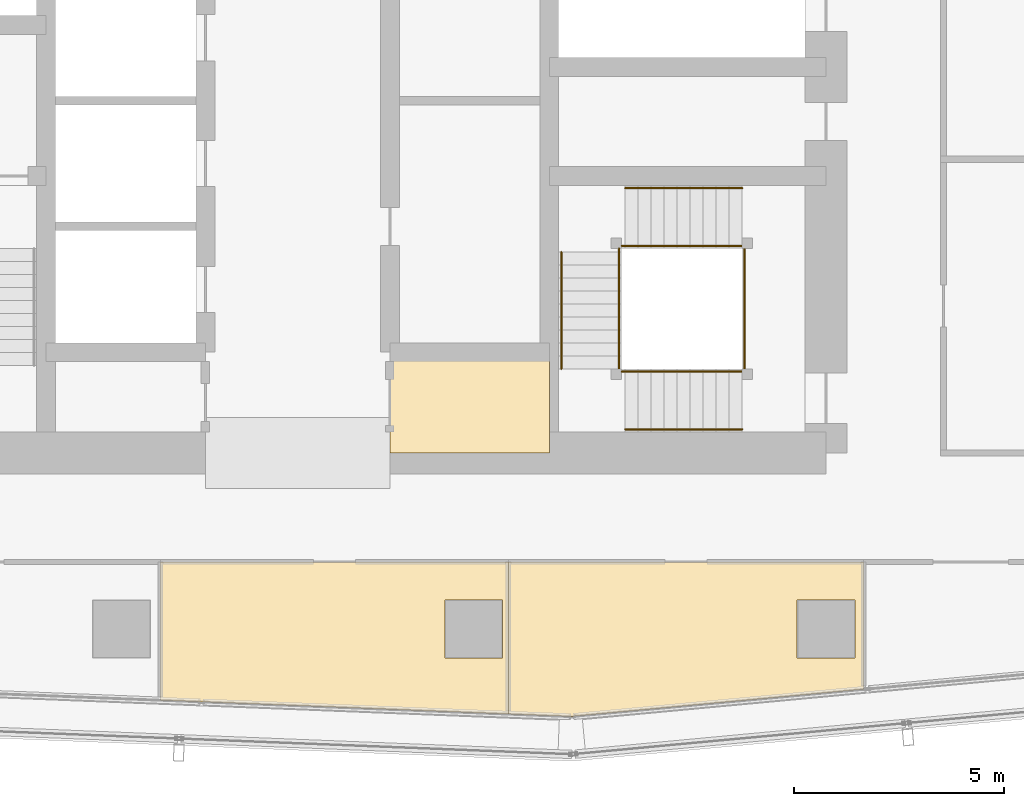
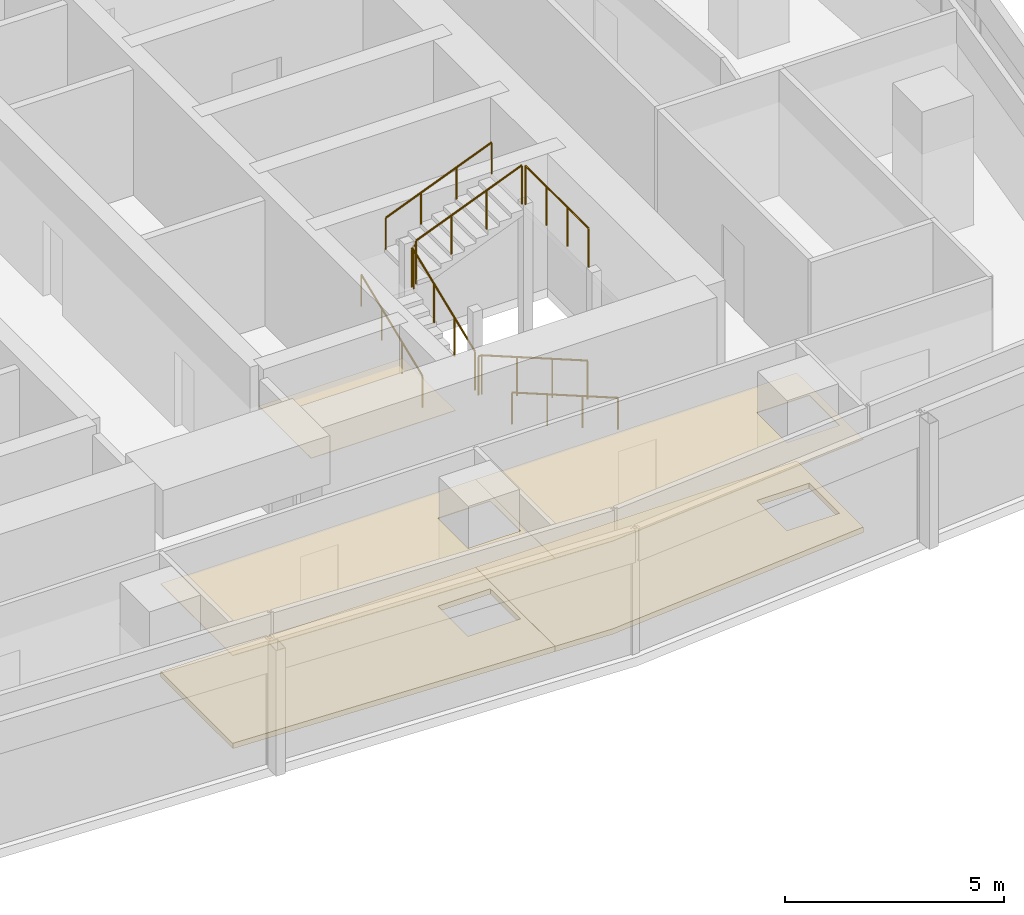
# One storey, part 35 of 40: 10 railings, 5 coverings.
"""IFC4 building model written with IfcOpenShell, lengths in metres."""

from ifc_helpers import new_model, si_unit, direction, frame, origin, origin_2d, place, context, subcontext, project, spatial, polyline, circle, outline, extrude, material, layer, layer_set, type_object, element, save


model = new_model("IFC4")

# Units and contexts
model_context = context("Model", 3, precision=1e-05, world=origin(), true_north=direction((0.0, 1.0)))
body_context = subcontext(model_context, "Body", "Model", "MODEL_VIEW")
ifc_project = project(units=[si_unit("LENGTHUNIT", "METRE"), si_unit("AREAUNIT", "SQUARE_METRE"), si_unit("VOLUMEUNIT", "CUBIC_METRE"), si_unit("PLANEANGLEUNIT", "RADIAN"), si_unit("MASSUNIT", "GRAM", prefix="KILO")], contexts=[model_context])

# Site, building, storey
site_placement = place(None, origin())
site = spatial("IfcSite", under=ifc_project, at=site_placement, CompositionType="ELEMENT")
building_placement = place(site_placement, origin())
building = spatial("IfcBuilding", under=site, at=building_placement, Name="Rekha Terrace Tower", CompositionType="ELEMENT")
storey_placement = place(building_placement, frame((0.0, 0.0, 210.199951171875)))
storey = spatial("IfcBuildingStorey", under=building, at=storey_placement, Name="L53", CompositionType="ELEMENT", Elevation=210.199951171875)

# Coverings
ifc_material_1 = material(Name="Mineral fibre tile in exposed grid", Category="finish")
ifc_layer_1 = layer(ifc_material_1, 0.02001953125)
ifc_layer_set_1 = layer_set([ifc_layer_1], Name="Mineral fibre tile in exposed grid")
covering_type_1 = type_object("IfcCoveringType", Name="CL1 600x1200 office grid ceiling", PredefinedType="CEILING", material=ifc_layer_set_1)
covering_1_placement = place(storey_placement, frame((0.0, 0.0, 2.580078125)))
element("IfcCovering", 1, at=covering_1_placement, inside=storey, type_object=covering_type_1, Name="Ceiling L53-02", PredefinedType="CEILING", context=body_context, shape_type="SweptSolid", body=[
    extrude(outline(polyline([(34.531005859375, 18.39990234375), (34.531005859375, 15.10205078125), (42.822998046875, 14.77099609375), (42.822998046875, 18.39990234375), (34.531005859375, 18.39990234375)]), holes=[polyline([(42.68994140625, 17.489990234375), (42.68994140625, 16.110107421875), (41.31005859375, 16.110107421875), (41.31005859375, 17.489990234375), (42.68994140625, 17.489990234375)])]), origin(), (0.0, 0.0, 1.0), 0.02001953125),
])
covering_2_placement = place(storey_placement, frame((0.0, 0.0, 2.580078125)))
element("IfcCovering", 2, at=covering_2_placement, inside=storey, type_object=covering_type_1, Name="Ceiling L53-03", PredefinedType="CEILING", context=body_context, shape_type="SweptSolid", body=[
    extrude(outline(polyline([(42.823974609375, 14.77099609375), (44.31201171875, 14.7119140625), (51.2900390625, 15.362060546875), (51.2900390625, 18.39990234375), (42.823974609375, 18.39990234375), (42.823974609375, 14.77099609375)]), holes=[polyline([(51.090087890625, 16.110107421875), (49.7099609375, 16.110107421875), (49.7099609375, 17.489990234375), (51.090087890625, 17.489990234375), (51.090087890625, 16.110107421875)])]), origin(), (0.0, 0.0, 1.0), 0.02001953125),
])
ifc_material_2 = material(Name="Fibre cement board", Category="finish")
ifc_layer_2 = layer(ifc_material_2, 0.014892578125)
ifc_layer_set_2 = layer_set([ifc_layer_2], Name="Fibre cement board")
covering_type_2 = type_object("IfcCoveringType", Name="CL2 moisture-resistant board ceiling", PredefinedType="CEILING", material=ifc_layer_set_2)
covering_3_placement = place(storey_placement, frame((0.0, 0.0, 2.5849609375)))
element("IfcCovering", 3, at=covering_3_placement, inside=storey, type_object=covering_type_2, Name="Ceiling L53-WCA", PredefinedType="CEILING", context=body_context, shape_type="SweptSolid", body=[
    extrude(outline(polyline([(43.800048828125, 23.39990234375), (40.0, 23.39990234375), (40.0, 21.0), (43.800048828125, 21.0), (43.800048828125, 23.39990234375)])), origin(), (0.0, 0.0, 1.0), 0.01513671875),
])

# Railings
ifc_material_3 = material(Name="Stainless steel balustrade", Category="steel")
railing_type_1 = type_object("IfcRailingType", Name="GR1 1100 stair guard", PredefinedType="GUARDRAIL", material=ifc_material_3)
railing_1_placement = place(storey_placement, frame((48.39990234375, 22.93994140625, 0.125)))
element("IfcRailing", 4, at=railing_1_placement, inside=storey, type_object=railing_type_1, Name="Guard ST3 L53 flight 1", PredefinedType="GUARDRAIL", context=body_context, shape_type="SweptSolid", body=[
    extrude(circle(Radius=0.02392578125, at=origin_2d()), frame((0.0, 0.0, 1.076171875), z_axis=(-0.927431937212, 0.0, 0.373991980981), x_axis=(0.0, -1.0, 0.0)), (0.0, 0.0, 1.0), 3.008056640625),
    extrude(circle(Radius=0.02099609375, at=origin_2d()), origin(), (0.0, 0.0, 1.0), 1.052001953125),
    extrude(circle(Radius=0.02099609375, at=origin_2d()), frame((-0.929931640625, 0.0, 0.375)), (0.0, 0.0, 1.0), 1.052001953125),
    extrude(circle(Radius=0.02099609375, at=origin_2d()), frame((-1.85986328125, 0.0, 0.75)), (0.0, 0.0, 1.0), 1.052001953125),
    extrude(circle(Radius=0.02099609375, at=origin_2d()), frame((-2.789794921875, 0.0, 1.125)), (0.0, 0.0, 1.0), 1.052001953125),
])
railing_2_placement = place(storey_placement, frame((45.465087890625, 23.0, 1.375)))
element("IfcRailing", 5, at=railing_2_placement, inside=storey, type_object=railing_type_1, Name="Guard ST3 L53 flight 2", PredefinedType="GUARDRAIL", context=body_context, shape_type="SweptSolid", body=[
    extrude(circle(Radius=0.02392578125, at=origin_2d()), frame((0.0, 0.0, 1.076171875), z_axis=(0.0, 0.927443287984, 0.373963831907), x_axis=(-1.0, 0.0, 0.0)), (0.0, 0.0, 1.0), 3.00830078125),
    extrude(circle(Radius=0.02099609375, at=origin_2d()), origin(), (0.0, 0.0, 1.0), 1.052001953125),
    extrude(circle(Radius=0.02099609375, at=origin_2d()), frame((0.0, 0.929931640625, 0.375)), (0.0, 0.0, 1.0), 1.052001953125),
    extrude(circle(Radius=0.02099609375, at=origin_2d()), frame((0.0, 1.860107421875, 0.75)), (0.0, 0.0, 1.0), 1.052001953125),
    extrude(circle(Radius=0.02099609375, at=origin_2d()), frame((0.0, 2.7900390625, 1.125)), (0.0, 0.0, 1.0), 1.052001953125),
])
railing_3_placement = place(storey_placement, frame((45.610107421875, 25.93505859375, 2.625)))
element("IfcRailing", 6, at=railing_3_placement, inside=storey, type_object=railing_type_1, Name="Guard ST3 L53 flight 3", PredefinedType="GUARDRAIL", context=body_context, shape_type="SweptSolid", body=[
    extrude(circle(Radius=0.02392578125, at=origin_2d()), frame((0.0, 0.0, 1.076171875), z_axis=(0.927431937212, 0.0, 0.373991980981), x_axis=(0.0, 1.0, 0.0)), (0.0, 0.0, 1.0), 3.008056640625),
    extrude(circle(Radius=0.02099609375, at=origin_2d()), origin(), (0.0, 0.0, 1.0), 1.052001953125),
    extrude(circle(Radius=0.02099609375, at=origin_2d()), frame((0.929931640625, 0.0, 0.375)), (0.0, 0.0, 1.0), 1.052001953125),
    extrude(circle(Radius=0.02099609375, at=origin_2d()), frame((1.85986328125, 0.0, 0.75)), (0.0, 0.0, 1.0), 1.052001953125),
    extrude(circle(Radius=0.02099609375, at=origin_2d()), frame((2.789794921875, 0.0, 1.125)), (0.0, 0.0, 1.0), 1.052001953125),
])
railing_4_placement = place(storey_placement, frame((45.610107421875, 22.93994140625, 1.25)))
element("IfcRailing", 7, at=railing_4_placement, inside=storey, type_object=railing_type_1, Name="Guard ST3 L53 landing 1", PredefinedType="GUARDRAIL", context=body_context, shape_type="SweptSolid", body=[
    extrude(circle(Radius=0.02392578125, at=origin_2d()), frame((0.0, 0.0, 1.076171875), z_axis=(-1.0, 0.0, 0.0), x_axis=(0.0, -1.0, 0.0)), (0.0, 0.0, 1.0), 0.085205078125),
    extrude(circle(Radius=0.02099609375, at=origin_2d()), origin(), (0.0, 0.0, 1.0), 1.052001953125),
    extrude(circle(Radius=0.02099609375, at=origin_2d()), frame((-0.085205078125, 0.0, 0.0)), (0.0, 0.0, 1.0), 1.052001953125),
])
railing_5_placement = place(storey_placement, frame((45.465087890625, 25.7900390625, 2.5)))
element("IfcRailing", 8, at=railing_5_placement, inside=storey, type_object=railing_type_1, Name="Guard ST3 L53 landing 2", PredefinedType="GUARDRAIL", context=body_context, shape_type="SweptSolid", body=[
    extrude(circle(Radius=0.02392578125, at=origin_2d()), frame((0.0, 0.0, 1.076171875), z_axis=(0.0, 1.0, 0.0), x_axis=(-1.0, 0.0, 0.0)), (0.0, 0.0, 1.0), 0.0849609375),
    extrude(circle(Radius=0.02099609375, at=origin_2d()), origin(), (0.0, 0.0, 1.0), 1.052001953125),
    extrude(circle(Radius=0.02099609375, at=origin_2d()), frame((0.0, 0.0849609375, 0.0)), (0.0, 0.0, 1.0), 1.052001953125),
])
railing_6_placement = place(storey_placement, frame((45.610107421875, 25.93505859375, 2.5)))
element("IfcRailing", 9, at=railing_6_placement, inside=storey, type_object=railing_type_1, Name="Guard ST3 L53 landing 3", PredefinedType="GUARDRAIL", context=body_context, shape_type="SweptSolid", body=[
    extrude(circle(Radius=0.02392578125, at=origin_2d()), frame((0.0, 0.0, 1.076171875), z_axis=(-1.0, 0.0, 0.0), x_axis=(0.0, -1.0, 0.0)), (0.0, 0.0, 1.0), 0.085205078125),
    extrude(circle(Radius=0.02099609375, at=origin_2d()), origin(), (0.0, 0.0, 1.0), 1.052001953125),
    extrude(circle(Radius=0.02099609375, at=origin_2d()), frame((-0.085205078125, 0.0, 0.0)), (0.0, 0.0, 1.0), 1.052001953125),
])
railing_7_placement = place(storey_placement, frame((48.4599609375, 23.0, 3.75)))
element("IfcRailing", 10, at=railing_7_placement, inside=storey, type_object=railing_type_1, Name="Guard ST3 L53 landing 4", PredefinedType="GUARDRAIL", context=body_context, shape_type="SweptSolid", body=[
    extrude(circle(Radius=0.02392578125, at=origin_2d()), frame((0.0, 0.0, 1.076171875), z_axis=(0.0, 1.0, 0.0), x_axis=(-1.0, 0.0, 0.0)), (0.0, 0.0, 1.0), 2.875),
    extrude(circle(Radius=0.02099609375, at=origin_2d()), origin(), (0.0, 0.0, 1.0), 1.052001953125),
    extrude(circle(Radius=0.02099609375, at=origin_2d()), frame((0.0, 0.958251953125, 0.0)), (0.0, 0.0, 1.0), 1.052001953125),
    extrude(circle(Radius=0.02099609375, at=origin_2d()), frame((0.0, 1.916748046875, 0.0)), (0.0, 0.0, 1.0), 1.052001953125),
    extrude(circle(Radius=0.02099609375, at=origin_2d()), frame((0.0, 2.875, 0.0)), (0.0, 0.0, 1.0), 1.052001953125),
])
ifc_material_4 = material(Name="Stainless steel tube", Category="steel")
railing_type_2 = type_object("IfcRailingType", Name="HR1 900 stair handrail", PredefinedType="HANDRAIL", material=ifc_material_4)
railing_8_placement = place(storey_placement, frame((48.39990234375, 21.56005859375, 0.125)))
element("IfcRailing", 11, at=railing_8_placement, inside=storey, type_object=railing_type_2, Name="Handrail ST3 L53 flight 1", PredefinedType="HANDRAIL", context=body_context, shape_type="SweptSolid", body=[
    extrude(circle(Radius=0.02392578125, at=origin_2d()), frame((0.0, 0.0, 0.8759765625), z_axis=(-0.927431937212, 0.0, 0.373991980981), x_axis=(0.0, -1.0, 0.0)), (0.0, 0.0, 1.0), 3.008056640625),
    extrude(circle(Radius=0.02099609375, at=origin_2d()), origin(), (0.0, 0.0, 1.0), 0.851806640625),
    extrude(circle(Radius=0.02099609375, at=origin_2d()), frame((-0.929931640625, 0.0, 0.375)), (0.0, 0.0, 1.0), 0.851806640625),
    extrude(circle(Radius=0.02099609375, at=origin_2d()), frame((-1.85986328125, 0.0, 0.75)), (0.0, 0.0, 1.0), 0.851806640625),
    extrude(circle(Radius=0.02099609375, at=origin_2d()), frame((-2.789794921875, 0.0, 1.125)), (0.0, 0.0, 1.0), 0.851806640625),
])
railing_9_placement = place(storey_placement, frame((44.0849609375, 23.0, 1.375)))
element("IfcRailing", 12, at=railing_9_placement, inside=storey, type_object=railing_type_2, Name="Handrail ST3 L53 flight 2", PredefinedType="HANDRAIL", context=body_context, shape_type="SweptSolid", body=[
    extrude(circle(Radius=0.02392578125, at=origin_2d()), frame((0.0, 0.0, 0.8759765625), z_axis=(0.0, 0.927443287984, 0.373963831907), x_axis=(-1.0, 0.0, 0.0)), (0.0, 0.0, 1.0), 3.00830078125),
    extrude(circle(Radius=0.02099609375, at=origin_2d()), origin(), (0.0, 0.0, 1.0), 0.851806640625),
    extrude(circle(Radius=0.02099609375, at=origin_2d()), frame((0.0, 0.929931640625, 0.375)), (0.0, 0.0, 1.0), 0.851806640625),
    extrude(circle(Radius=0.02099609375, at=origin_2d()), frame((0.0, 1.860107421875, 0.75)), (0.0, 0.0, 1.0), 0.851806640625),
    extrude(circle(Radius=0.02099609375, at=origin_2d()), frame((0.0, 2.7900390625, 1.125)), (0.0, 0.0, 1.0), 0.851806640625),
])
railing_10_placement = place(storey_placement, frame((45.610107421875, 27.31494140625, 2.625)))
element("IfcRailing", 13, at=railing_10_placement, inside=storey, type_object=railing_type_2, Name="Handrail ST3 L53 flight 3", PredefinedType="HANDRAIL", context=body_context, shape_type="SweptSolid", body=[
    extrude(circle(Radius=0.02392578125, at=origin_2d()), frame((0.0, 0.0, 0.8759765625), z_axis=(0.927431937212, 0.0, 0.373991980981), x_axis=(0.0, 1.0, 0.0)), (0.0, 0.0, 1.0), 3.008056640625),
    extrude(circle(Radius=0.02099609375, at=origin_2d()), origin(), (0.0, 0.0, 1.0), 0.851806640625),
    extrude(circle(Radius=0.02099609375, at=origin_2d()), frame((0.929931640625, 0.0, 0.375)), (0.0, 0.0, 1.0), 0.851806640625),
    extrude(circle(Radius=0.02099609375, at=origin_2d()), frame((1.85986328125, 0.0, 0.75)), (0.0, 0.0, 1.0), 0.851806640625),
    extrude(circle(Radius=0.02099609375, at=origin_2d()), frame((2.789794921875, 0.0, 1.125)), (0.0, 0.0, 1.0), 0.851806640625),
])

# Coverings
ifc_material_5 = material(Name="Calcium sulphate panels on steel pedestals", Category="steel")
ifc_layer_3 = layer(ifc_material_5, 0.14990234375)
ifc_layer_set_3 = layer_set([ifc_layer_3], Name="Calcium sulphate panels on steel pedestals")
covering_type_3 = type_object("IfcCoveringType", Name="RF1 150 raised access floor", PredefinedType="FLOORING", material=ifc_layer_set_3)
covering_4_placement = place(storey_placement, origin())
element("IfcCovering", 14, at=covering_4_placement, inside=storey, type_object=covering_type_3, Name="Raised floor L53-02", PredefinedType="FLOORING", context=body_context, shape_type="SweptSolid", body=[
    extrude(outline(polyline([(34.531005859375, 18.39990234375), (34.531005859375, 15.10205078125), (42.822998046875, 14.77099609375), (42.822998046875, 18.39990234375), (34.531005859375, 18.39990234375)]), holes=[polyline([(42.68994140625, 17.489990234375), (42.68994140625, 16.110107421875), (41.31005859375, 16.110107421875), (41.31005859375, 17.489990234375), (42.68994140625, 17.489990234375)])]), origin(), (0.0, 0.0, 1.0), 0.150146484375),
])
covering_5_placement = place(storey_placement, origin())
element("IfcCovering", 15, at=covering_5_placement, inside=storey, type_object=covering_type_3, Name="Raised floor L53-03", PredefinedType="FLOORING", context=body_context, shape_type="SweptSolid", body=[
    extrude(outline(polyline([(42.823974609375, 14.77099609375), (44.31201171875, 14.7119140625), (51.2900390625, 15.362060546875), (51.2900390625, 18.39990234375), (42.823974609375, 18.39990234375), (42.823974609375, 14.77099609375)]), holes=[polyline([(51.090087890625, 16.110107421875), (49.7099609375, 16.110107421875), (49.7099609375, 17.489990234375), (51.090087890625, 17.489990234375), (51.090087890625, 16.110107421875)])]), origin(), (0.0, 0.0, 1.0), 0.150146484375),
])

save(model, "model.ifc")
